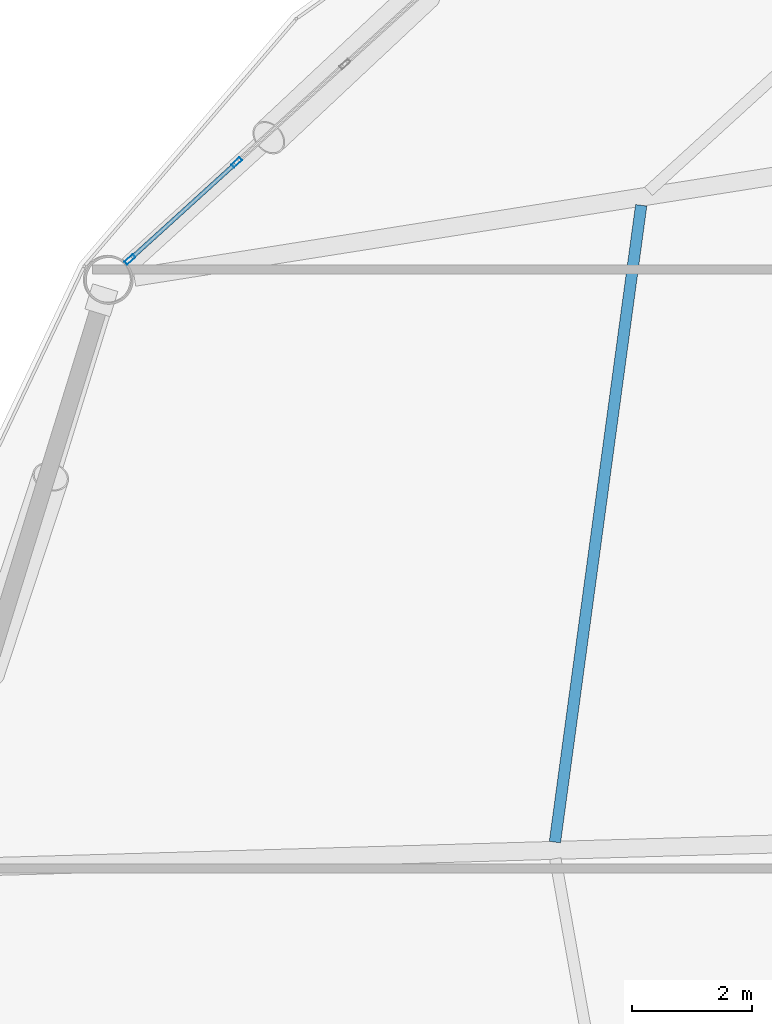
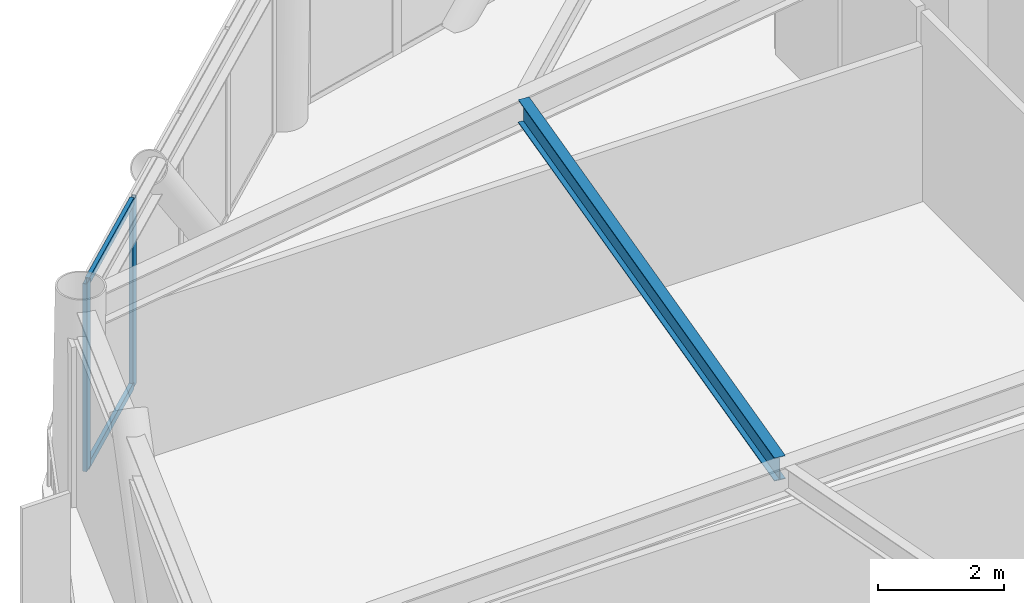
# One storey, part 10 of 25: 4 members, 1 beam, 1 element without a shape of its own.
"""IFC4 building model written with IfcOpenShell, lengths in metres."""

import ifcopenshell
import ifcopenshell.guid

model = None  # the IFC model being written
_history = None  # IfcOwnerHistory: only IFC2X3 demands one
_inside = {}  # id of a spatial element -> (the spatial element, [elements in it])
_under = {}  # id of a project, library or spatial element -> (it, [spatial elements below it])
_declared = {}  # id of a project -> (the project, [libraries it declares])
_typed = {}  # id of a type object -> (the type object, [elements of that type])
_made_of = {}  # id of a material, layer set ... -> (it, [elements and type objects made of it])


def new_model(schema):
    """Start an empty IFC model of exactly this schema.

    Asked for "IFC4X3", IfcOpenShell would pick the latest addendum, in which some entities
    have other attributes; the version numbers below select the first issue.
    IFC2X3 requires an IfcOwnerHistory on every rooted entity: one is made here for all.
    """
    global model, _history
    if schema == "IFC4X3":
        model = ifcopenshell.file(schema_version=(4, 3, 0, 0))
    else:
        model = ifcopenshell.file(schema=schema)
    _inside.clear()
    _under.clear()
    _declared.clear()
    _typed.clear()
    _made_of.clear()
    _history = None
    if model.schema == "IFC2X3":
        org = make("IfcOrganization", Name="unknown")
        user = make(
            "IfcPersonAndOrganization",
            ThePerson=make("IfcPerson", FamilyName="unknown"),
            TheOrganization=org,
        )
        app = make(
            "IfcApplication",
            ApplicationDeveloper=org,
            Version="unknown",
            ApplicationFullName="unknown",
            ApplicationIdentifier="unknown",
        )
        _history = make(
            "IfcOwnerHistory",
            OwningUser=user,
            OwningApplication=app,
            ChangeAction="ADDED",
            CreationDate=0,
        )
    return model


def make(cls, **values):
    """One entity of the class cls with the attributes given. An attribute that is None is left unset."""
    return model.create_entity(
        cls, **{name: value for name, value in values.items() if value is not None}
    )


def rooted(cls, **values):
    """An entity with a GlobalId (a new one), such as an element, a storey or a relation."""
    return make(cls, GlobalId=ifcopenshell.guid.new(), OwnerHistory=_history, **values)


def si_unit(unit_type, name, prefix=None):
    """IfcSIUnit, for example si_unit("LENGTHUNIT", "METRE", prefix="MILLI")."""
    return make("IfcSIUnit", UnitType=unit_type, Prefix=prefix, Name=name)


def assignment(units):
    """IfcUnitAssignment: the units of a project."""
    return None if units is None else make("IfcUnitAssignment", Units=units)


def point(xyz):
    """IfcCartesianPoint."""
    return None if xyz is None else make("IfcCartesianPoint", Coordinates=xyz)


def direction(xyz):
    """IfcDirection."""
    return None if xyz is None else make("IfcDirection", DirectionRatios=xyz)


def frame(location, z_axis=None, x_axis=None):
    """IfcAxis2Placement3D, a coordinate frame: its origin and axes. An axis left out is left unset."""
    return make(
        "IfcAxis2Placement3D",
        Location=point(location),
        Axis=direction(z_axis),
        RefDirection=direction(x_axis),
    )


def frame_2d(location, x_axis=None):
    """IfcAxis2Placement2D, a coordinate frame in the plane: its origin and x axis."""
    return make(
        "IfcAxis2Placement2D", Location=point(location), RefDirection=direction(x_axis)
    )


def origin():
    """The frame at (0, 0, 0) with its axes left unset."""
    return frame((0.0, 0.0, 0.0))


def origin_2d():
    """The frame at (0, 0) in the plane with its x axis left unset."""
    return frame_2d((0.0, 0.0))


def place(relative_to, where):
    """IfcLocalPlacement: puts the frame where relative to a parent placement (None: the world)."""
    return make(
        "IfcLocalPlacement", PlacementRelTo=relative_to, RelativePlacement=where
    )


def context(
    kind, dimensions, precision=None, world=None, true_north=None, identifier=None
):
    """IfcGeometricRepresentationContext, for example the 3D "Model" context."""
    return make(
        "IfcGeometricRepresentationContext",
        ContextIdentifier=identifier,
        ContextType=kind,
        CoordinateSpaceDimension=dimensions,
        Precision=precision,
        WorldCoordinateSystem=world,
        TrueNorth=true_north,
    )


def subcontext(parent, identifier, kind, view, scale=None):
    """IfcGeometricRepresentationSubContext, for example "Body" below "Model"."""
    return make(
        "IfcGeometricRepresentationSubContext",
        ContextIdentifier=identifier,
        ContextType=kind,
        ParentContext=parent,
        TargetScale=scale,
        TargetView=view,
    )


def project(units=None, contexts=None):
    """IfcProject with its units and contexts."""
    return rooted(
        "IfcProject",
        Name="project",
        RepresentationContexts=contexts,
        UnitsInContext=assignment(units),
    )


def spatial(cls, under=None, at=None, **own):
    """A site, building, storey or space (cls), placed at a placement, below another one or the project."""
    s = rooted(cls, ObjectPlacement=at, **own)
    if under is not None:
        _under.setdefault(under.id(), (under, []))[1].append(s)
    return s


def profile(cls, at=None, kind="AREA", **sizes):
    """A parametric profile (cls). Its sizes go by their IFC names, for example OverallWidth=200.0."""
    return make(cls, ProfileType=kind, Position=at, **sizes)


def hollow_rectangle(**sizes):
    """IfcRectangleHollowProfileDef."""
    return profile("IfcRectangleHollowProfileDef", **sizes)


def i_section(**sizes):
    """IfcIShapeProfileDef."""
    return profile("IfcIShapeProfileDef", **sizes)


def extrude(swept, where, along, depth):
    """IfcExtrudedAreaSolid: the profile swept, set in the frame where, extruded along a direction by depth."""
    return make(
        "IfcExtrudedAreaSolid",
        SweptArea=swept,
        Position=where,
        ExtrudedDirection=direction(along),
        Depth=depth,
    )


def shape(context_of_items, identifier, shape_type, items):
    """IfcShapeRepresentation: the items that make up one representation, for example the "Body"."""
    return make(
        "IfcShapeRepresentation",
        ContextOfItems=context_of_items,
        RepresentationIdentifier=identifier,
        RepresentationType=shape_type,
        Items=items,
    )


def material(Name=None, Category=None):
    """IfcMaterial."""
    return make("IfcMaterial", Name=Name, Category=Category)


def layer(
    of_material, thickness, ventilated=None, Name=None, Category=None, Priority=None
):
    """IfcMaterialLayer: one layer of a wall or slab, of a material (None: an air gap)."""
    return make(
        "IfcMaterialLayer",
        Material=of_material,
        LayerThickness=thickness,
        IsVentilated=ventilated,
        Name=Name,
        Category=Category,
        Priority=Priority,
    )


def layer_set(layers, Name=None):
    """IfcMaterialLayerSet."""
    return make("IfcMaterialLayerSet", MaterialLayers=layers, LayerSetName=Name)


def material_profile(
    of_material, cross_section, Name=None, Category=None, Priority=None
):
    """IfcMaterialProfile: a cross section and its material."""
    return make(
        "IfcMaterialProfile",
        Name=Name,
        Material=of_material,
        Profile=cross_section,
        Priority=Priority,
        Category=Category,
    )


def profile_set(profiles, Name=None, composite=None):
    """IfcMaterialProfileSet."""
    return make(
        "IfcMaterialProfileSet",
        Name=Name,
        MaterialProfiles=profiles,
        CompositeProfile=composite,
    )


def made_of(thing, what):
    """Note that an element or type object is made of a material, layer set ...; save() writes the relation."""
    if what is not None:
        _made_of.setdefault(what.id(), (what, []))[1].append(thing)
    return thing


def type_object(cls, material=None, **own):
    """A type object (cls), such as IfcWallType, which elements share."""
    return made_of(rooted(cls, **own), material)


def element(
    cls,
    number,
    at=None,
    inside=None,
    cuts=None,
    type_object=None,
    material=None,
    context=None,
    identifier="Body",
    shape_type=None,
    held_by="IfcProductDefinitionShape",
    body=None,
    shapes=None,
    **own,
):
    """One element of the class cls, such as IfcWall. Its Tag is "e" and its number.

    at: its placement. inside: the storey or other place that contains it. cuts: it is an
    opening in that element (IfcRelVoidsElement). A single representation is given by context,
    identifier, shape_type and body (its items); several are given by shapes. held_by: the class
    of the entity that holds the representations. save() writes the other relations.
    """
    e = rooted(cls, Tag="e%d" % number, ObjectPlacement=at, **own)
    if body is not None:
        shapes = [shape(context, identifier, shape_type, body)]
    if shapes is not None:
        e.Representation = make(held_by, Representations=shapes)
    if inside is not None:
        _inside.setdefault(inside.id(), (inside, []))[1].append(e)
    if cuts is not None:
        rooted(
            "IfcRelVoidsElement", RelatingBuildingElement=cuts, RelatedOpeningElement=e
        )
    if type_object is not None:
        _typed.setdefault(type_object.id(), (type_object, []))[1].append(e)
    return made_of(e, material)


def aggregate(whole, parts):
    """IfcRelAggregates: a whole, such as a stair, and the parts it consists of."""
    return rooted("IfcRelAggregates", RelatingObject=whole, RelatedObjects=parts)


def save(model, path):
    """Write the relations noted so far, then the file.

    IfcRelAggregates (storeys below a building ...), IfcRelContainedInSpatialStructure (elements
    in a storey), IfcRelDefinesByType, IfcRelAssociatesMaterial and IfcRelDeclares: one each for
    every whole, place, type object, material and project.
    """
    for whole, parts in _under.values():
        aggregate(whole, parts)
    for where, things in _inside.values():
        rooted(
            "IfcRelContainedInSpatialStructure",
            RelatedElements=things,
            RelatingStructure=where,
        )
    for kind, things in _typed.values():
        rooted("IfcRelDefinesByType", RelatedObjects=things, RelatingType=kind)
    for what, things in _made_of.values():
        rooted("IfcRelAssociatesMaterial", RelatedObjects=things, RelatingMaterial=what)
    for by, libraries in _declared.values():
        rooted("IfcRelDeclares", RelatingContext=by, RelatedDefinitions=libraries)
    model.write(path)


model = new_model("IFC4")

# Units and contexts
model_context = context("Model", 3, precision=1e-05, world=origin(), true_north=direction((0.0, 1.0)))
body_context = subcontext(model_context, "Body", "Model", "MODEL_VIEW")
ifc_project = project(units=[si_unit("LENGTHUNIT", "METRE"), si_unit("AREAUNIT", "SQUARE_METRE"), si_unit("VOLUMEUNIT", "CUBIC_METRE"), si_unit("PLANEANGLEUNIT", "RADIAN"), si_unit("MASSUNIT", "GRAM", prefix="KILO")], contexts=[model_context])

# Site, building, storey
site_placement = place(None, origin())
site = spatial("IfcSite", under=ifc_project, at=site_placement, CompositionType="ELEMENT")
building_placement = place(site_placement, origin())
building = spatial("IfcBuilding", under=site, at=building_placement, Name="Varnakorn Sky Granary", CompositionType="ELEMENT")
storey_placement = place(building_placement, frame((0.0, 0.0, 91.5)))
storey = spatial("IfcBuildingStorey", under=building, at=storey_placement, Name="L22", CompositionType="ELEMENT", Elevation=91.5)

# Beam
ifc_material_1 = material(Name="Steel S355JR", Category="steel")
ifc_material_profile_1 = material_profile(ifc_material_1, i_section(OverallWidth=0.18994140625, OverallDepth=0.449951171875, WebThickness=0.009521484375, FlangeThickness=0.0146484375, at=origin_2d()), Name="IPE 450")
ifc_profile_set_1 = profile_set([ifc_material_profile_1], Name="Steel S355JR")
beam_type = type_object("IfcBeamType", Name="BM-SEC-Z2", PredefinedType="BEAM", material=ifc_profile_set_1)
beam_placement = place(storey_placement, frame((-11.338134765625, 11.073974609375, 3.4150390625), z_axis=(-0.134252369386, -0.990947173826, 0.0), x_axis=(0.990947173826, -0.134252369386, 0.0)))
element("IfcBeam", 1, at=beam_placement, inside=storey, type_object=beam_type, Name="Secondary Floor Chord Beam MSB06 L22", PredefinedType="BEAM", context=body_context, shape_type="SweptSolid", body=[
    extrude(i_section(OverallWidth=0.18994140625, OverallDepth=0.449951171875, WebThickness=0.009521484375, FlangeThickness=0.0146484375, at=origin_2d()), origin(), (0.0, 0.0, 1.0), 10.73291015625),
])

# Curtain wall, members
ifc_material_2 = material(Name="Anodised Bronze Aluminium Alloy 6063-T6", Category="aluminium")
ifc_layer = layer(ifc_material_2, 0.18994140625, Name="Anodised Bronze Aluminium Alloy 6063-T6")
ifc_layer_set = layer_set([ifc_layer], Name="Anodised Bronze Aluminium Alloy 6063-T6")
curtain_wall_type = type_object("IfcCurtainWallType", Name="CW-FRM-1", PredefinedType="USERDEFINED", material=ifc_layer_set)
curtain_wall_placement = place(storey_placement, origin())
curtain_wall = element("IfcCurtainWall", 2, at=curtain_wall_placement, inside=storey, type_object=curtain_wall_type, Name="Unitised Curtain Wall CW3 CW-L22-B05", ObjectType="CURTAIN WALL", PredefinedType="USERDEFINED")
ifc_material_profile_2 = material_profile(ifc_material_2, hollow_rectangle(XDim=0.070068359375, YDim=0.18505859375, WallThickness=0.00390625, at=origin_2d()), Name="ALU MULL 70x185")
ifc_profile_set_2 = profile_set([ifc_material_profile_2], Name="Anodised Bronze Aluminium Alloy 6063-T6")
member_type_1 = type_object("IfcMemberType", Name="CW-FRM-1-MULL", PredefinedType="MULLION", material=ifc_profile_set_2)
member_1_placement = place(storey_placement, frame((-19.87646484375, 10.170654296875, 0.0), z_axis=(0.0, 0.0, 1.0), x_axis=(-0.672429296104, 0.740161361962, 0.0)))
member_1 = element("IfcMember", 3, at=member_1_placement, type_object=member_type_1, Name="CW3 mullion 1", PredefinedType="MULLION", context=body_context, shape_type="SweptSolid", body=[
    extrude(hollow_rectangle(XDim=0.070068359375, YDim=0.18505859375, WallThickness=0.00390625, at=origin_2d()), origin(), (0.0, 0.0, 1.0), 3.639892578125),
])
member_2_placement = place(storey_placement, frame((-18.09423828125, 11.7900390625, 0.0), z_axis=(0.0, 0.0, 1.0), x_axis=(-0.672429296104, 0.740161361962, 0.0)))
member_2 = element("IfcMember", 4, at=member_2_placement, type_object=member_type_1, Name="CW3 mullion 2", PredefinedType="MULLION", context=body_context, shape_type="SweptSolid", body=[
    extrude(hollow_rectangle(XDim=0.070068359375, YDim=0.18505859375, WallThickness=0.00390625, at=origin_2d()), origin(), (0.0, 0.0, 1.0), 3.639892578125),
])
ifc_material_profile_3 = material_profile(ifc_material_2, hollow_rectangle(XDim=0.070068359375, YDim=0.139892578125, WallThickness=0.00341796875, at=origin_2d()), Name="ALU TRAN 70x140")
ifc_profile_set_3 = profile_set([ifc_material_profile_3], Name="Anodised Bronze Aluminium Alloy 6063-T6")
member_type_2 = type_object("IfcMemberType", Name="CW-FRM-1-TRAN", PredefinedType="USERDEFINED", material=ifc_profile_set_3)
member_3_placement = place(storey_placement, frame((-19.8505859375, 10.1943359375, 0.034912109375), z_axis=(0.74018101209, 0.672407666034, 0.0), x_axis=(-0.672407666034, 0.74018101209, 0.0)))
member_3 = element("IfcMember", 5, at=member_3_placement, type_object=member_type_2, Name="CW3 transom 1.1", ObjectType="TRANSOM", PredefinedType="USERDEFINED", context=body_context, shape_type="SweptSolid", body=[
    extrude(hollow_rectangle(XDim=0.070068359375, YDim=0.139892578125, WallThickness=0.00341796875, at=origin_2d()), origin(), (0.0, 0.0, 1.0), 2.337890625),
])
member_4_placement = place(storey_placement, frame((-19.8505859375, 10.1943359375, 3.60498046875), z_axis=(0.74018101209, 0.672407666034, 0.0), x_axis=(-0.672407666034, 0.74018101209, 0.0)))
member_4 = element("IfcMember", 6, at=member_4_placement, type_object=member_type_2, Name="CW3 transom 1.2", ObjectType="TRANSOM", PredefinedType="USERDEFINED", context=body_context, shape_type="SweptSolid", body=[
    extrude(hollow_rectangle(XDim=0.070068359375, YDim=0.139892578125, WallThickness=0.00341796875, at=origin_2d()), origin(), (0.0, 0.0, 1.0), 2.337890625),
])
aggregate(curtain_wall, [member_1, member_2, member_3, member_4])

save(model, "model.ifc")
